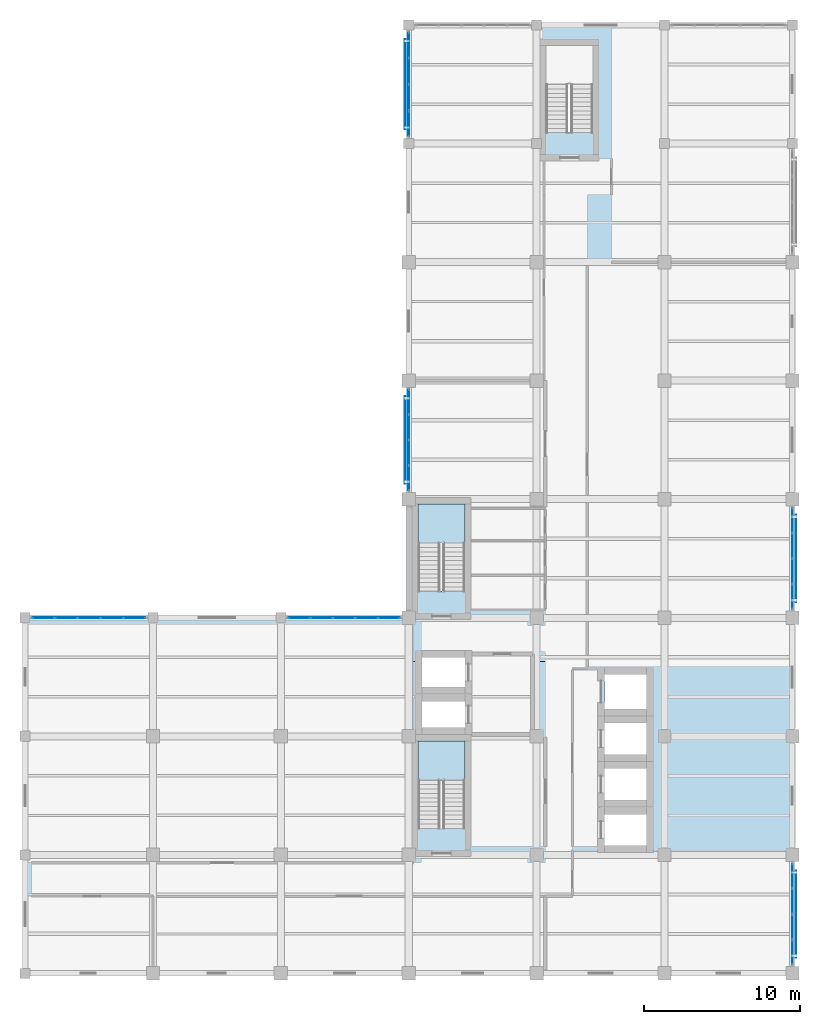
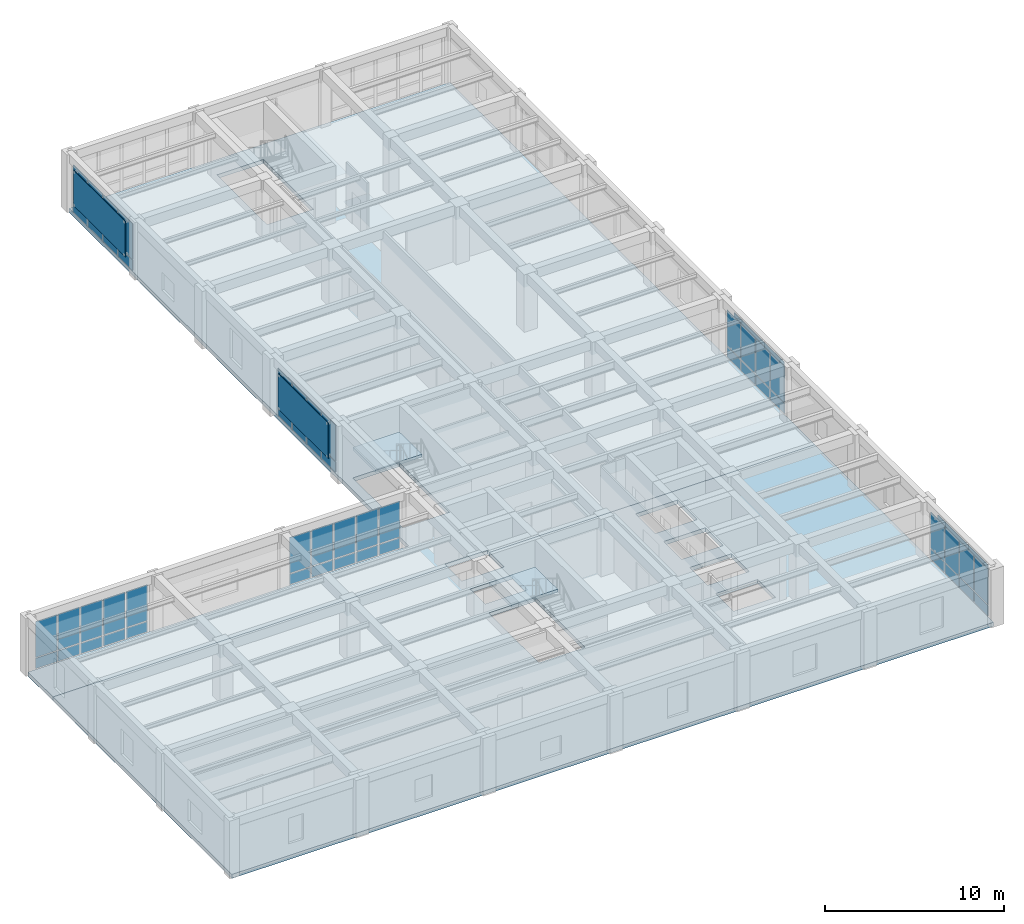
# One storey, part 7 of 17: 56 plates, 4 slabs, 8 elements without a shape of their own.
"""IFC4 building model written with IfcOpenShell, lengths in metres."""

import ifcopenshell
import ifcopenshell.guid

model = None  # the IFC model being written
_history = None  # IfcOwnerHistory: only IFC2X3 demands one
_inside = {}  # id of a spatial element -> (the spatial element, [elements in it])
_under = {}  # id of a project, library or spatial element -> (it, [spatial elements below it])
_declared = {}  # id of a project -> (the project, [libraries it declares])
_typed = {}  # id of a type object -> (the type object, [elements of that type])
_made_of = {}  # id of a material, layer set ... -> (it, [elements and type objects made of it])


def new_model(schema):
    """Start an empty IFC model of exactly this schema.

    Asked for "IFC4X3", IfcOpenShell would pick the latest addendum, in which some entities
    have other attributes; the version numbers below select the first issue.
    IFC2X3 requires an IfcOwnerHistory on every rooted entity: one is made here for all.
    """
    global model, _history
    if schema == "IFC4X3":
        model = ifcopenshell.file(schema_version=(4, 3, 0, 0))
    else:
        model = ifcopenshell.file(schema=schema)
    _inside.clear()
    _under.clear()
    _declared.clear()
    _typed.clear()
    _made_of.clear()
    _history = None
    if model.schema == "IFC2X3":
        org = make("IfcOrganization", Name="unknown")
        user = make(
            "IfcPersonAndOrganization",
            ThePerson=make("IfcPerson", FamilyName="unknown"),
            TheOrganization=org,
        )
        app = make(
            "IfcApplication",
            ApplicationDeveloper=org,
            Version="unknown",
            ApplicationFullName="unknown",
            ApplicationIdentifier="unknown",
        )
        _history = make(
            "IfcOwnerHistory",
            OwningUser=user,
            OwningApplication=app,
            ChangeAction="ADDED",
            CreationDate=0,
        )
    return model


def make(cls, **values):
    """One entity of the class cls with the attributes given. An attribute that is None is left unset."""
    return model.create_entity(
        cls, **{name: value for name, value in values.items() if value is not None}
    )


def rooted(cls, **values):
    """An entity with a GlobalId (a new one), such as an element, a storey or a relation."""
    return make(cls, GlobalId=ifcopenshell.guid.new(), OwnerHistory=_history, **values)


def si_unit(unit_type, name, prefix=None):
    """IfcSIUnit, for example si_unit("LENGTHUNIT", "METRE", prefix="MILLI")."""
    return make("IfcSIUnit", UnitType=unit_type, Prefix=prefix, Name=name)


def assignment(units):
    """IfcUnitAssignment: the units of a project."""
    return None if units is None else make("IfcUnitAssignment", Units=units)


def point(xyz):
    """IfcCartesianPoint."""
    return None if xyz is None else make("IfcCartesianPoint", Coordinates=xyz)


def direction(xyz):
    """IfcDirection."""
    return None if xyz is None else make("IfcDirection", DirectionRatios=xyz)


def frame(location, z_axis=None, x_axis=None):
    """IfcAxis2Placement3D, a coordinate frame: its origin and axes. An axis left out is left unset."""
    return make(
        "IfcAxis2Placement3D",
        Location=point(location),
        Axis=direction(z_axis),
        RefDirection=direction(x_axis),
    )


def frame_2d(location, x_axis=None):
    """IfcAxis2Placement2D, a coordinate frame in the plane: its origin and x axis."""
    return make(
        "IfcAxis2Placement2D", Location=point(location), RefDirection=direction(x_axis)
    )


def origin():
    """The frame at (0, 0, 0) with its axes left unset."""
    return frame((0.0, 0.0, 0.0))


def origin_2d():
    """The frame at (0, 0) in the plane with its x axis left unset."""
    return frame_2d((0.0, 0.0))


def place(relative_to, where):
    """IfcLocalPlacement: puts the frame where relative to a parent placement (None: the world)."""
    return make(
        "IfcLocalPlacement", PlacementRelTo=relative_to, RelativePlacement=where
    )


def context(
    kind, dimensions, precision=None, world=None, true_north=None, identifier=None
):
    """IfcGeometricRepresentationContext, for example the 3D "Model" context."""
    return make(
        "IfcGeometricRepresentationContext",
        ContextIdentifier=identifier,
        ContextType=kind,
        CoordinateSpaceDimension=dimensions,
        Precision=precision,
        WorldCoordinateSystem=world,
        TrueNorth=true_north,
    )


def subcontext(parent, identifier, kind, view, scale=None):
    """IfcGeometricRepresentationSubContext, for example "Body" below "Model"."""
    return make(
        "IfcGeometricRepresentationSubContext",
        ContextIdentifier=identifier,
        ContextType=kind,
        ParentContext=parent,
        TargetScale=scale,
        TargetView=view,
    )


def project(units=None, contexts=None):
    """IfcProject with its units and contexts."""
    return rooted(
        "IfcProject",
        Name="project",
        RepresentationContexts=contexts,
        UnitsInContext=assignment(units),
    )


def spatial(cls, under=None, at=None, **own):
    """A site, building, storey or space (cls), placed at a placement, below another one or the project."""
    s = rooted(cls, ObjectPlacement=at, **own)
    if under is not None:
        _under.setdefault(under.id(), (under, []))[1].append(s)
    return s


def polyline(points):
    """IfcPolyline through the points."""
    return make("IfcPolyline", Points=[point(p) for p in points])


def profile(cls, at=None, kind="AREA", **sizes):
    """A parametric profile (cls). Its sizes go by their IFC names, for example OverallWidth=200.0."""
    return make(cls, ProfileType=kind, Position=at, **sizes)


def rectangle(**sizes):
    """IfcRectangleProfileDef."""
    return profile("IfcRectangleProfileDef", **sizes)


def outline(outer, holes=None, kind="AREA"):
    """IfcArbitraryClosedProfileDef: a profile drawn as a closed curve; with holes, ...WithVoids."""
    if holes is None:
        return make("IfcArbitraryClosedProfileDef", ProfileType=kind, OuterCurve=outer)
    return make(
        "IfcArbitraryProfileDefWithVoids",
        ProfileType=kind,
        OuterCurve=outer,
        InnerCurves=holes,
    )


def extrude(swept, where, along, depth):
    """IfcExtrudedAreaSolid: the profile swept, set in the frame where, extruded along a direction by depth."""
    return make(
        "IfcExtrudedAreaSolid",
        SweptArea=swept,
        Position=where,
        ExtrudedDirection=direction(along),
        Depth=depth,
    )


def shape(context_of_items, identifier, shape_type, items):
    """IfcShapeRepresentation: the items that make up one representation, for example the "Body"."""
    return make(
        "IfcShapeRepresentation",
        ContextOfItems=context_of_items,
        RepresentationIdentifier=identifier,
        RepresentationType=shape_type,
        Items=items,
    )


def material(Name=None, Category=None):
    """IfcMaterial."""
    return make("IfcMaterial", Name=Name, Category=Category)


def layer(
    of_material, thickness, ventilated=None, Name=None, Category=None, Priority=None
):
    """IfcMaterialLayer: one layer of a wall or slab, of a material (None: an air gap)."""
    return make(
        "IfcMaterialLayer",
        Material=of_material,
        LayerThickness=thickness,
        IsVentilated=ventilated,
        Name=Name,
        Category=Category,
        Priority=Priority,
    )


def layer_set(layers, Name=None):
    """IfcMaterialLayerSet."""
    return make("IfcMaterialLayerSet", MaterialLayers=layers, LayerSetName=Name)


def made_of(thing, what):
    """Note that an element or type object is made of a material, layer set ...; save() writes the relation."""
    if what is not None:
        _made_of.setdefault(what.id(), (what, []))[1].append(thing)
    return thing


def type_object(cls, material=None, **own):
    """A type object (cls), such as IfcWallType, which elements share."""
    return made_of(rooted(cls, **own), material)


def element(
    cls,
    number,
    at=None,
    inside=None,
    cuts=None,
    type_object=None,
    material=None,
    context=None,
    identifier="Body",
    shape_type=None,
    held_by="IfcProductDefinitionShape",
    body=None,
    shapes=None,
    **own,
):
    """One element of the class cls, such as IfcWall. Its Tag is "e" and its number.

    at: its placement. inside: the storey or other place that contains it. cuts: it is an
    opening in that element (IfcRelVoidsElement). A single representation is given by context,
    identifier, shape_type and body (its items); several are given by shapes. held_by: the class
    of the entity that holds the representations. save() writes the other relations.
    """
    e = rooted(cls, Tag="e%d" % number, ObjectPlacement=at, **own)
    if body is not None:
        shapes = [shape(context, identifier, shape_type, body)]
    if shapes is not None:
        e.Representation = make(held_by, Representations=shapes)
    if inside is not None:
        _inside.setdefault(inside.id(), (inside, []))[1].append(e)
    if cuts is not None:
        rooted(
            "IfcRelVoidsElement", RelatingBuildingElement=cuts, RelatedOpeningElement=e
        )
    if type_object is not None:
        _typed.setdefault(type_object.id(), (type_object, []))[1].append(e)
    return made_of(e, material)


def aggregate(whole, parts):
    """IfcRelAggregates: a whole, such as a stair, and the parts it consists of."""
    return rooted("IfcRelAggregates", RelatingObject=whole, RelatedObjects=parts)


def save(model, path):
    """Write the relations noted so far, then the file.

    IfcRelAggregates (storeys below a building ...), IfcRelContainedInSpatialStructure (elements
    in a storey), IfcRelDefinesByType, IfcRelAssociatesMaterial and IfcRelDeclares: one each for
    every whole, place, type object, material and project.
    """
    for whole, parts in _under.values():
        aggregate(whole, parts)
    for where, things in _inside.values():
        rooted(
            "IfcRelContainedInSpatialStructure",
            RelatedElements=things,
            RelatingStructure=where,
        )
    for kind, things in _typed.values():
        rooted("IfcRelDefinesByType", RelatedObjects=things, RelatingType=kind)
    for what, things in _made_of.values():
        rooted("IfcRelAssociatesMaterial", RelatedObjects=things, RelatingMaterial=what)
    for by, libraries in _declared.values():
        rooted("IfcRelDeclares", RelatingContext=by, RelatedDefinitions=libraries)
    model.write(path)


model = new_model("IFC4")

# Units and contexts
model_context = context("Model", 3, precision=1e-05, world=origin(), true_north=direction((0.0, 1.0)))
body_context = subcontext(model_context, "Body", "Model", "MODEL_VIEW")
ifc_project = project(units=[si_unit("LENGTHUNIT", "METRE"), si_unit("AREAUNIT", "SQUARE_METRE"), si_unit("VOLUMEUNIT", "CUBIC_METRE"), si_unit("PLANEANGLEUNIT", "RADIAN"), si_unit("MASSUNIT", "GRAM", prefix="KILO")], contexts=[model_context])

# Site, building, storey
site_placement = place(None, origin())
site = spatial("IfcSite", under=ifc_project, at=site_placement, CompositionType="ELEMENT")
building_placement = place(site_placement, origin())
building = spatial("IfcBuilding", under=site, at=building_placement, Name="Qandaris Square Conservatory and Botanical Centre", CompositionType="ELEMENT")
storey_placement = place(building_placement, frame((0.0, 0.0, 28.199951171875)))
storey = spatial("IfcBuildingStorey", under=building, at=storey_placement, Name="L06", CompositionType="ELEMENT", Elevation=28.199951171875)

# Curtain wall, plates
ifc_material_1 = material(Name="Anodised Aluminium", Category="aluminium")
curtain_wall_type_1 = type_object("IfcCurtainWallType", Name="Unitised Curtain Wall CW-4-655x334", PredefinedType="USERDEFINED", material=ifc_material_1)
curtain_wall_1_placement = place(storey_placement, origin())
curtain_wall_1 = element("IfcCurtainWall", 1, at=curtain_wall_1_placement, inside=storey, type_object=curtain_wall_type_1, Name="Curtain Wall CW-TWR-L06-2-1", ObjectType="GLAZED CURTAIN WALL", PredefinedType="USERDEFINED")
ifc_material_2 = material(Name="Tempered Low-E Glass", Category="glass")
ifc_layer_1 = layer(ifc_material_2, 0.035888671875)
ifc_layer_set_1 = layer_set([ifc_layer_1], Name="Tempered Low-E Glass")
plate_type_1 = type_object("IfcPlateType", Name="Double-Glazed Solar Control Vision Unit 36mm", PredefinedType="CURTAIN_PANEL", material=ifc_layer_set_1)
plate_1_placement = place(storey_placement, frame((163.800048828125, 17.9599609375, 0.06494140625), z_axis=(0.0, 0.0, 1.0), x_axis=(0.0, 1.0, 0.0)))
plate_1 = element("IfcPlate", 2, at=plate_1_placement, type_object=plate_type_1, Name="CW-4-655x334 panel 1.1", PredefinedType="CURTAIN_PANEL", context=body_context, shape_type="SweptSolid", body=[
    extrude(rectangle(XDim=1.5400390625, YDim=0.035888671875, at=origin_2d()), origin(), (0.0, 0.0, 1.0), 0.7041015625),
])
plate_2_placement = place(storey_placement, frame((163.800048828125, 17.9599609375, 0.834228515625), z_axis=(0.0, 0.0, 1.0), x_axis=(0.0, 1.0, 0.0)))
plate_2 = element("IfcPlate", 3, at=plate_2_placement, type_object=plate_type_1, Name="CW-4-655x334 panel 1.2", PredefinedType="CURTAIN_PANEL", context=body_context, shape_type="SweptSolid", body=[
    extrude(rectangle(XDim=1.5400390625, YDim=0.035888671875, at=origin_2d()), origin(), (0.0, 0.0, 1.0), 2.44091796875),
])
plate_3_placement = place(storey_placement, frame((163.800048828125, 19.581298828125, 0.06494140625), z_axis=(0.0, 0.0, 1.0), x_axis=(0.0, 1.0, 0.0)))
plate_3 = element("IfcPlate", 4, at=plate_3_placement, type_object=plate_type_1, Name="CW-4-655x334 panel 2.1", PredefinedType="CURTAIN_PANEL", context=body_context, shape_type="SweptSolid", body=[
    extrude(rectangle(XDim=1.572509765625, YDim=0.035888671875, at=origin_2d()), origin(), (0.0, 0.0, 1.0), 0.7041015625),
])
plate_4_placement = place(storey_placement, frame((163.800048828125, 19.581298828125, 0.834228515625), z_axis=(0.0, 0.0, 1.0), x_axis=(0.0, 1.0, 0.0)))
plate_4 = element("IfcPlate", 5, at=plate_4_placement, type_object=plate_type_1, Name="CW-4-655x334 panel 2.2", PredefinedType="CURTAIN_PANEL", context=body_context, shape_type="SweptSolid", body=[
    extrude(rectangle(XDim=1.572509765625, YDim=0.035888671875, at=origin_2d()), origin(), (0.0, 0.0, 1.0), 2.44091796875),
])
plate_5_placement = place(storey_placement, frame((163.800048828125, 21.21875, 0.06494140625), z_axis=(0.0, 0.0, 1.0), x_axis=(0.0, 1.0, 0.0)))
plate_5 = element("IfcPlate", 6, at=plate_5_placement, type_object=plate_type_1, Name="CW-4-655x334 panel 3.1", PredefinedType="CURTAIN_PANEL", context=body_context, shape_type="SweptSolid", body=[
    extrude(rectangle(XDim=1.572509765625, YDim=0.035888671875, at=origin_2d()), origin(), (0.0, 0.0, 1.0), 0.7041015625),
])
plate_6_placement = place(storey_placement, frame((163.800048828125, 21.21875, 0.834228515625), z_axis=(0.0, 0.0, 1.0), x_axis=(0.0, 1.0, 0.0)))
plate_6 = element("IfcPlate", 7, at=plate_6_placement, type_object=plate_type_1, Name="CW-4-655x334 panel 3.2", PredefinedType="CURTAIN_PANEL", context=body_context, shape_type="SweptSolid", body=[
    extrude(rectangle(XDim=1.572509765625, YDim=0.035888671875, at=origin_2d()), origin(), (0.0, 0.0, 1.0), 2.44091796875),
])
plate_7_placement = place(storey_placement, frame((163.800048828125, 22.840087890625, 0.06494140625), z_axis=(0.0, 0.0, 1.0), x_axis=(0.0, 1.0, 0.0)))
plate_7 = element("IfcPlate", 8, at=plate_7_placement, type_object=plate_type_1, Name="CW-4-655x334 panel 4.1", PredefinedType="CURTAIN_PANEL", context=body_context, shape_type="SweptSolid", body=[
    extrude(rectangle(XDim=1.5400390625, YDim=0.035888671875, at=origin_2d()), origin(), (0.0, 0.0, 1.0), 0.7041015625),
])
plate_8_placement = place(storey_placement, frame((163.800048828125, 22.840087890625, 0.834228515625), z_axis=(0.0, 0.0, 1.0), x_axis=(0.0, 1.0, 0.0)))
plate_8 = element("IfcPlate", 9, at=plate_8_placement, type_object=plate_type_1, Name="CW-4-655x334 panel 4.2", PredefinedType="CURTAIN_PANEL", context=body_context, shape_type="SweptSolid", body=[
    extrude(rectangle(XDim=1.5400390625, YDim=0.035888671875, at=origin_2d()), origin(), (0.0, 0.0, 1.0), 2.44091796875),
])
aggregate(curtain_wall_1, [plate_1, plate_2, plate_3, plate_4, plate_5, plate_6, plate_7, plate_8])

curtain_wall_2_placement = place(storey_placement, origin())
curtain_wall_2 = element("IfcCurtainWall", 10, at=curtain_wall_2_placement, inside=storey, type_object=curtain_wall_type_1, Name="Curtain Wall CW-TWR-L06-2-4", ObjectType="GLAZED CURTAIN WALL", PredefinedType="USERDEFINED")
plate_9_placement = place(storey_placement, frame((163.800048828125, 40.760009765625, 0.06494140625), z_axis=(0.0, 0.0, 1.0), x_axis=(0.0, 1.0, 0.0)))
plate_9 = element("IfcPlate", 11, at=plate_9_placement, type_object=plate_type_1, Name="CW-4-655x334 panel 1.1", PredefinedType="CURTAIN_PANEL", context=body_context, shape_type="SweptSolid", body=[
    extrude(rectangle(XDim=1.5400390625, YDim=0.035888671875, at=origin_2d()), origin(), (0.0, 0.0, 1.0), 0.7041015625),
])
plate_10_placement = place(storey_placement, frame((163.800048828125, 40.760009765625, 0.834228515625), z_axis=(0.0, 0.0, 1.0), x_axis=(0.0, 1.0, 0.0)))
plate_10 = element("IfcPlate", 12, at=plate_10_placement, type_object=plate_type_1, Name="CW-4-655x334 panel 1.2", PredefinedType="CURTAIN_PANEL", context=body_context, shape_type="SweptSolid", body=[
    extrude(rectangle(XDim=1.5400390625, YDim=0.035888671875, at=origin_2d()), origin(), (0.0, 0.0, 1.0), 2.44091796875),
])
plate_11_placement = place(storey_placement, frame((163.800048828125, 42.38134765625, 0.06494140625), z_axis=(0.0, 0.0, 1.0), x_axis=(0.0, 1.0, 0.0)))
plate_11 = element("IfcPlate", 13, at=plate_11_placement, type_object=plate_type_1, Name="CW-4-655x334 panel 2.1", PredefinedType="CURTAIN_PANEL", context=body_context, shape_type="SweptSolid", body=[
    extrude(rectangle(XDim=1.572509765625, YDim=0.035888671875, at=origin_2d()), origin(), (0.0, 0.0, 1.0), 0.7041015625),
])
plate_12_placement = place(storey_placement, frame((163.800048828125, 42.38134765625, 0.834228515625), z_axis=(0.0, 0.0, 1.0), x_axis=(0.0, 1.0, 0.0)))
plate_12 = element("IfcPlate", 14, at=plate_12_placement, type_object=plate_type_1, Name="CW-4-655x334 panel 2.2", PredefinedType="CURTAIN_PANEL", context=body_context, shape_type="SweptSolid", body=[
    extrude(rectangle(XDim=1.572509765625, YDim=0.035888671875, at=origin_2d()), origin(), (0.0, 0.0, 1.0), 2.44091796875),
])
plate_13_placement = place(storey_placement, frame((163.800048828125, 44.018798828125, 0.06494140625), z_axis=(0.0, 0.0, 1.0), x_axis=(0.0, 1.0, 0.0)))
plate_13 = element("IfcPlate", 15, at=plate_13_placement, type_object=plate_type_1, Name="CW-4-655x334 panel 3.1", PredefinedType="CURTAIN_PANEL", context=body_context, shape_type="SweptSolid", body=[
    extrude(rectangle(XDim=1.572509765625, YDim=0.035888671875, at=origin_2d()), origin(), (0.0, 0.0, 1.0), 0.7041015625),
])
plate_14_placement = place(storey_placement, frame((163.800048828125, 44.018798828125, 0.834228515625), z_axis=(0.0, 0.0, 1.0), x_axis=(0.0, 1.0, 0.0)))
plate_14 = element("IfcPlate", 16, at=plate_14_placement, type_object=plate_type_1, Name="CW-4-655x334 panel 3.2", PredefinedType="CURTAIN_PANEL", context=body_context, shape_type="SweptSolid", body=[
    extrude(rectangle(XDim=1.572509765625, YDim=0.035888671875, at=origin_2d()), origin(), (0.0, 0.0, 1.0), 2.44091796875),
])
plate_15_placement = place(storey_placement, frame((163.800048828125, 45.639892578125, 0.06494140625), z_axis=(0.0, 0.0, 1.0), x_axis=(0.0, 1.0, 0.0)))
plate_15 = element("IfcPlate", 17, at=plate_15_placement, type_object=plate_type_1, Name="CW-4-655x334 panel 4.1", PredefinedType="CURTAIN_PANEL", context=body_context, shape_type="SweptSolid", body=[
    extrude(rectangle(XDim=1.5400390625, YDim=0.035888671875, at=origin_2d()), origin(), (0.0, 0.0, 1.0), 0.7041015625),
])
plate_16_placement = place(storey_placement, frame((163.800048828125, 45.639892578125, 0.834228515625), z_axis=(0.0, 0.0, 1.0), x_axis=(0.0, 1.0, 0.0)))
plate_16 = element("IfcPlate", 18, at=plate_16_placement, type_object=plate_type_1, Name="CW-4-655x334 panel 4.2", PredefinedType="CURTAIN_PANEL", context=body_context, shape_type="SweptSolid", body=[
    extrude(rectangle(XDim=1.5400390625, YDim=0.035888671875, at=origin_2d()), origin(), (0.0, 0.0, 1.0), 2.44091796875),
])
aggregate(curtain_wall_2, [plate_9, plate_10, plate_11, plate_12, plate_13, plate_14, plate_15, plate_16])

curtain_wall_type_2 = type_object("IfcCurtainWallType", Name="Unitised Curtain Wall CW-4-675x334", PredefinedType="USERDEFINED", material=ifc_material_1)
curtain_wall_3_placement = place(storey_placement, origin())
curtain_wall_3 = element("IfcCurtainWall", 19, at=curtain_wall_3_placement, inside=storey, type_object=curtain_wall_type_2, Name="Curtain Wall CW-TWR-L06-4-1", ObjectType="GLAZED CURTAIN WALL", PredefinedType="USERDEFINED")
plate_17_placement = place(storey_placement, frame((139.199951171875, 76.114990234375, 0.06494140625), z_axis=(0.0, 0.0, 1.0), x_axis=(0.0, -1.0, 0.0)))
plate_17 = element("IfcPlate", 20, at=plate_17_placement, type_object=plate_type_1, Name="CW-4-675x334 panel 1.1", PredefinedType="CURTAIN_PANEL", context=body_context, shape_type="SweptSolid", body=[
    extrude(rectangle(XDim=1.590087890625, YDim=0.035888671875, at=origin_2d()), origin(), (0.0, 0.0, 1.0), 0.7041015625),
])
plate_18_placement = place(storey_placement, frame((139.199951171875, 76.114990234375, 0.834228515625), z_axis=(0.0, 0.0, 1.0), x_axis=(0.0, -1.0, 0.0)))
plate_18 = element("IfcPlate", 21, at=plate_18_placement, type_object=plate_type_1, Name="CW-4-675x334 panel 1.2", PredefinedType="CURTAIN_PANEL", context=body_context, shape_type="SweptSolid", body=[
    extrude(rectangle(XDim=1.590087890625, YDim=0.035888671875, at=origin_2d()), origin(), (0.0, 0.0, 1.0), 2.44091796875),
])
plate_19_placement = place(storey_placement, frame((139.199951171875, 74.44384765625, 0.06494140625), z_axis=(0.0, 0.0, 1.0), x_axis=(0.0, -1.0, 0.0)))
plate_19 = element("IfcPlate", 22, at=plate_19_placement, type_object=plate_type_1, Name="CW-4-675x334 panel 2.1", PredefinedType="CURTAIN_PANEL", context=body_context, shape_type="SweptSolid", body=[
    extrude(rectangle(XDim=1.62255859375, YDim=0.035888671875, at=origin_2d()), origin(), (0.0, 0.0, 1.0), 0.7041015625),
])
plate_20_placement = place(storey_placement, frame((139.199951171875, 74.44384765625, 0.834228515625), z_axis=(0.0, 0.0, 1.0), x_axis=(0.0, -1.0, 0.0)))
plate_20 = element("IfcPlate", 23, at=plate_20_placement, type_object=plate_type_1, Name="CW-4-675x334 panel 2.2", PredefinedType="CURTAIN_PANEL", context=body_context, shape_type="SweptSolid", body=[
    extrude(rectangle(XDim=1.62255859375, YDim=0.035888671875, at=origin_2d()), origin(), (0.0, 0.0, 1.0), 2.44091796875),
])
plate_21_placement = place(storey_placement, frame((139.199951171875, 72.75634765625, 0.06494140625), z_axis=(0.0, 0.0, 1.0), x_axis=(0.0, -1.0, 0.0)))
plate_21 = element("IfcPlate", 24, at=plate_21_placement, type_object=plate_type_1, Name="CW-4-675x334 panel 3.1", PredefinedType="CURTAIN_PANEL", context=body_context, shape_type="SweptSolid", body=[
    extrude(rectangle(XDim=1.62255859375, YDim=0.035888671875, at=origin_2d()), origin(), (0.0, 0.0, 1.0), 0.7041015625),
])
plate_22_placement = place(storey_placement, frame((139.199951171875, 72.75634765625, 0.834228515625), z_axis=(0.0, 0.0, 1.0), x_axis=(0.0, -1.0, 0.0)))
plate_22 = element("IfcPlate", 25, at=plate_22_placement, type_object=plate_type_1, Name="CW-4-675x334 panel 3.2", PredefinedType="CURTAIN_PANEL", context=body_context, shape_type="SweptSolid", body=[
    extrude(rectangle(XDim=1.62255859375, YDim=0.035888671875, at=origin_2d()), origin(), (0.0, 0.0, 1.0), 2.44091796875),
])
plate_23_placement = place(storey_placement, frame((139.199951171875, 71.0849609375, 0.06494140625), z_axis=(0.0, 0.0, 1.0), x_axis=(0.0, -1.0, 0.0)))
plate_23 = element("IfcPlate", 26, at=plate_23_placement, type_object=plate_type_1, Name="CW-4-675x334 panel 4.1", PredefinedType="CURTAIN_PANEL", context=body_context, shape_type="SweptSolid", body=[
    extrude(rectangle(XDim=1.590087890625, YDim=0.035888671875, at=origin_2d()), origin(), (0.0, 0.0, 1.0), 0.7041015625),
])
plate_24_placement = place(storey_placement, frame((139.199951171875, 71.0849609375, 0.834228515625), z_axis=(0.0, 0.0, 1.0), x_axis=(0.0, -1.0, 0.0)))
plate_24 = element("IfcPlate", 27, at=plate_24_placement, type_object=plate_type_1, Name="CW-4-675x334 panel 4.2", PredefinedType="CURTAIN_PANEL", context=body_context, shape_type="SweptSolid", body=[
    extrude(rectangle(XDim=1.590087890625, YDim=0.035888671875, at=origin_2d()), origin(), (0.0, 0.0, 1.0), 2.44091796875),
])
aggregate(curtain_wall_3, [plate_17, plate_18, plate_19, plate_20, plate_21, plate_22, plate_23, plate_24])

curtain_wall_4_placement = place(storey_placement, origin())
curtain_wall_4 = element("IfcCurtainWall", 28, at=curtain_wall_4_placement, inside=storey, type_object=curtain_wall_type_1, Name="Curtain Wall CW-TWR-L06-4-4", ObjectType="GLAZED CURTAIN WALL", PredefinedType="USERDEFINED")
plate_25_placement = place(storey_placement, frame((139.199951171875, 53.239990234375, 0.06494140625), z_axis=(0.0, 0.0, 1.0), x_axis=(0.0, -1.0, 0.0)))
plate_25 = element("IfcPlate", 29, at=plate_25_placement, type_object=plate_type_1, Name="CW-4-655x334 panel 1.1", PredefinedType="CURTAIN_PANEL", context=body_context, shape_type="SweptSolid", body=[
    extrude(rectangle(XDim=1.5400390625, YDim=0.035888671875, at=origin_2d()), origin(), (0.0, 0.0, 1.0), 0.7041015625),
])
plate_26_placement = place(storey_placement, frame((139.199951171875, 53.239990234375, 0.834228515625), z_axis=(0.0, 0.0, 1.0), x_axis=(0.0, -1.0, 0.0)))
plate_26 = element("IfcPlate", 30, at=plate_26_placement, type_object=plate_type_1, Name="CW-4-655x334 panel 1.2", PredefinedType="CURTAIN_PANEL", context=body_context, shape_type="SweptSolid", body=[
    extrude(rectangle(XDim=1.5400390625, YDim=0.035888671875, at=origin_2d()), origin(), (0.0, 0.0, 1.0), 2.44091796875),
])
plate_27_placement = place(storey_placement, frame((139.199951171875, 51.61865234375, 0.06494140625), z_axis=(0.0, 0.0, 1.0), x_axis=(0.0, -1.0, 0.0)))
plate_27 = element("IfcPlate", 31, at=plate_27_placement, type_object=plate_type_1, Name="CW-4-655x334 panel 2.1", PredefinedType="CURTAIN_PANEL", context=body_context, shape_type="SweptSolid", body=[
    extrude(rectangle(XDim=1.572509765625, YDim=0.035888671875, at=origin_2d()), origin(), (0.0, 0.0, 1.0), 0.7041015625),
])
plate_28_placement = place(storey_placement, frame((139.199951171875, 51.61865234375, 0.834228515625), z_axis=(0.0, 0.0, 1.0), x_axis=(0.0, -1.0, 0.0)))
plate_28 = element("IfcPlate", 32, at=plate_28_placement, type_object=plate_type_1, Name="CW-4-655x334 panel 2.2", PredefinedType="CURTAIN_PANEL", context=body_context, shape_type="SweptSolid", body=[
    extrude(rectangle(XDim=1.572509765625, YDim=0.035888671875, at=origin_2d()), origin(), (0.0, 0.0, 1.0), 2.44091796875),
])
plate_29_placement = place(storey_placement, frame((139.199951171875, 49.981201171875, 0.06494140625), z_axis=(0.0, 0.0, 1.0), x_axis=(0.0, -1.0, 0.0)))
plate_29 = element("IfcPlate", 33, at=plate_29_placement, type_object=plate_type_1, Name="CW-4-655x334 panel 3.1", PredefinedType="CURTAIN_PANEL", context=body_context, shape_type="SweptSolid", body=[
    extrude(rectangle(XDim=1.572509765625, YDim=0.035888671875, at=origin_2d()), origin(), (0.0, 0.0, 1.0), 0.7041015625),
])
plate_30_placement = place(storey_placement, frame((139.199951171875, 49.981201171875, 0.834228515625), z_axis=(0.0, 0.0, 1.0), x_axis=(0.0, -1.0, 0.0)))
plate_30 = element("IfcPlate", 34, at=plate_30_placement, type_object=plate_type_1, Name="CW-4-655x334 panel 3.2", PredefinedType="CURTAIN_PANEL", context=body_context, shape_type="SweptSolid", body=[
    extrude(rectangle(XDim=1.572509765625, YDim=0.035888671875, at=origin_2d()), origin(), (0.0, 0.0, 1.0), 2.44091796875),
])
plate_31_placement = place(storey_placement, frame((139.199951171875, 48.360107421875, 0.06494140625), z_axis=(0.0, 0.0, 1.0), x_axis=(0.0, -1.0, 0.0)))
plate_31 = element("IfcPlate", 35, at=plate_31_placement, type_object=plate_type_1, Name="CW-4-655x334 panel 4.1", PredefinedType="CURTAIN_PANEL", context=body_context, shape_type="SweptSolid", body=[
    extrude(rectangle(XDim=1.5400390625, YDim=0.035888671875, at=origin_2d()), origin(), (0.0, 0.0, 1.0), 0.7041015625),
])
plate_32_placement = place(storey_placement, frame((139.199951171875, 48.360107421875, 0.834228515625), z_axis=(0.0, 0.0, 1.0), x_axis=(0.0, -1.0, 0.0)))
plate_32 = element("IfcPlate", 36, at=plate_32_placement, type_object=plate_type_1, Name="CW-4-655x334 panel 4.2", PredefinedType="CURTAIN_PANEL", context=body_context, shape_type="SweptSolid", body=[
    extrude(rectangle(XDim=1.5400390625, YDim=0.035888671875, at=origin_2d()), origin(), (0.0, 0.0, 1.0), 2.44091796875),
])
aggregate(curtain_wall_4, [plate_25, plate_26, plate_27, plate_28, plate_29, plate_30, plate_31, plate_32])

curtain_wall_type_3 = type_object("IfcCurtainWallType", Name="Unitised Curtain Wall CW-4-725x334", PredefinedType="USERDEFINED", material=ifc_material_1)
curtain_wall_5_placement = place(storey_placement, origin())
curtain_wall_5 = element("IfcCurtainWall", 37, at=curtain_wall_5_placement, inside=storey, type_object=curtain_wall_type_3, Name="Curtain Wall CW-TWR-L06-5-1", ObjectType="GLAZED CURTAIN WALL", PredefinedType="USERDEFINED")
plate_33_placement = place(storey_placement, frame((137.933837890625, 39.39990234375, 0.06494140625), z_axis=(0.0, 0.0, 1.0), x_axis=(-1.0, 0.0, 0.0)))
plate_33 = element("IfcPlate", 38, at=plate_33_placement, type_object=plate_type_1, Name="CW-4-725x334 panel 1.1", PredefinedType="CURTAIN_PANEL", context=body_context, shape_type="SweptSolid", body=[
    extrude(rectangle(XDim=1.3525390625, YDim=0.035888671875, at=origin_2d()), origin(), (0.0, 0.0, 1.0), 0.7041015625),
])
plate_34_placement = place(storey_placement, frame((137.933837890625, 39.39990234375, 0.834228515625), z_axis=(0.0, 0.0, 1.0), x_axis=(-1.0, 0.0, 0.0)))
plate_34 = element("IfcPlate", 39, at=plate_34_placement, type_object=plate_type_1, Name="CW-4-725x334 panel 1.2", PredefinedType="CURTAIN_PANEL", context=body_context, shape_type="SweptSolid", body=[
    extrude(rectangle(XDim=1.3525390625, YDim=0.035888671875, at=origin_2d()), origin(), (0.0, 0.0, 1.0), 2.44091796875),
])
plate_35_placement = place(storey_placement, frame((136.5, 39.39990234375, 0.06494140625), z_axis=(0.0, 0.0, 1.0), x_axis=(-1.0, 0.0, 0.0)))
plate_35 = element("IfcPlate", 40, at=plate_35_placement, type_object=plate_type_1, Name="CW-4-725x334 panel 2.1", PredefinedType="CURTAIN_PANEL", context=body_context, shape_type="SweptSolid", body=[
    extrude(rectangle(XDim=1.385009765625, YDim=0.035888671875, at=origin_2d()), origin(), (0.0, 0.0, 1.0), 0.7041015625),
])
plate_36_placement = place(storey_placement, frame((136.5, 39.39990234375, 0.834228515625), z_axis=(0.0, 0.0, 1.0), x_axis=(-1.0, 0.0, 0.0)))
plate_36 = element("IfcPlate", 41, at=plate_36_placement, type_object=plate_type_1, Name="CW-4-725x334 panel 2.2", PredefinedType="CURTAIN_PANEL", context=body_context, shape_type="SweptSolid", body=[
    extrude(rectangle(XDim=1.385009765625, YDim=0.035888671875, at=origin_2d()), origin(), (0.0, 0.0, 1.0), 2.44091796875),
])
plate_37_placement = place(storey_placement, frame((135.050048828125, 39.39990234375, 0.06494140625), z_axis=(0.0, 0.0, 1.0), x_axis=(-1.0, 0.0, 0.0)))
plate_37 = element("IfcPlate", 42, at=plate_37_placement, type_object=plate_type_1, Name="CW-4-725x334 panel 3.1", PredefinedType="CURTAIN_PANEL", context=body_context, shape_type="SweptSolid", body=[
    extrude(rectangle(XDim=1.385009765625, YDim=0.035888671875, at=origin_2d()), origin(), (0.0, 0.0, 1.0), 0.7041015625),
])
plate_38_placement = place(storey_placement, frame((135.050048828125, 39.39990234375, 0.834228515625), z_axis=(0.0, 0.0, 1.0), x_axis=(-1.0, 0.0, 0.0)))
plate_38 = element("IfcPlate", 43, at=plate_38_placement, type_object=plate_type_1, Name="CW-4-725x334 panel 3.2", PredefinedType="CURTAIN_PANEL", context=body_context, shape_type="SweptSolid", body=[
    extrude(rectangle(XDim=1.385009765625, YDim=0.035888671875, at=origin_2d()), origin(), (0.0, 0.0, 1.0), 2.44091796875),
])
plate_39_placement = place(storey_placement, frame((133.60009765625, 39.39990234375, 0.06494140625), z_axis=(0.0, 0.0, 1.0), x_axis=(-1.0, 0.0, 0.0)))
plate_39 = element("IfcPlate", 44, at=plate_39_placement, type_object=plate_type_1, Name="CW-4-725x334 panel 4.1", PredefinedType="CURTAIN_PANEL", context=body_context, shape_type="SweptSolid", body=[
    extrude(rectangle(XDim=1.385009765625, YDim=0.035888671875, at=origin_2d()), origin(), (0.0, 0.0, 1.0), 0.7041015625),
])
plate_40_placement = place(storey_placement, frame((133.60009765625, 39.39990234375, 0.834228515625), z_axis=(0.0, 0.0, 1.0), x_axis=(-1.0, 0.0, 0.0)))
plate_40 = element("IfcPlate", 45, at=plate_40_placement, type_object=plate_type_1, Name="CW-4-725x334 panel 4.2", PredefinedType="CURTAIN_PANEL", context=body_context, shape_type="SweptSolid", body=[
    extrude(rectangle(XDim=1.385009765625, YDim=0.035888671875, at=origin_2d()), origin(), (0.0, 0.0, 1.0), 2.44091796875),
])
plate_41_placement = place(storey_placement, frame((132.166259765625, 39.39990234375, 0.06494140625), z_axis=(0.0, 0.0, 1.0), x_axis=(-1.0, 0.0, 0.0)))
plate_41 = element("IfcPlate", 46, at=plate_41_placement, type_object=plate_type_1, Name="CW-4-725x334 panel 5.1", PredefinedType="CURTAIN_PANEL", context=body_context, shape_type="SweptSolid", body=[
    extrude(rectangle(XDim=1.3525390625, YDim=0.035888671875, at=origin_2d()), origin(), (0.0, 0.0, 1.0), 0.7041015625),
])
plate_42_placement = place(storey_placement, frame((132.166259765625, 39.39990234375, 0.834228515625), z_axis=(0.0, 0.0, 1.0), x_axis=(-1.0, 0.0, 0.0)))
plate_42 = element("IfcPlate", 47, at=plate_42_placement, type_object=plate_type_1, Name="CW-4-725x334 panel 5.2", PredefinedType="CURTAIN_PANEL", context=body_context, shape_type="SweptSolid", body=[
    extrude(rectangle(XDim=1.3525390625, YDim=0.035888671875, at=origin_2d()), origin(), (0.0, 0.0, 1.0), 2.44091796875),
])
aggregate(curtain_wall_5, [plate_33, plate_34, plate_35, plate_36, plate_37, plate_38, plate_39, plate_40, plate_41, plate_42])

curtain_wall_type_4 = type_object("IfcCurtainWallType", Name="Unitised Curtain Wall CW-4-735x334", PredefinedType="USERDEFINED", material=ifc_material_1)
curtain_wall_6_placement = place(storey_placement, origin())
curtain_wall_6 = element("IfcCurtainWall", 48, at=curtain_wall_6_placement, inside=storey, type_object=curtain_wall_type_4, Name="Curtain Wall CW-TWR-L06-5-3", ObjectType="GLAZED CURTAIN WALL", PredefinedType="USERDEFINED")
plate_43_placement = place(storey_placement, frame((121.623779296875, 39.39990234375, 0.06494140625), z_axis=(0.0, 0.0, 1.0), x_axis=(-1.0, 0.0, 0.0)))
plate_43 = element("IfcPlate", 49, at=plate_43_placement, type_object=plate_type_1, Name="CW-4-735x334 panel 1.1", PredefinedType="CURTAIN_PANEL", context=body_context, shape_type="SweptSolid", body=[
    extrude(rectangle(XDim=1.37255859375, YDim=0.035888671875, at=origin_2d()), origin(), (0.0, 0.0, 1.0), 0.7041015625),
])
plate_44_placement = place(storey_placement, frame((121.623779296875, 39.39990234375, 0.834228515625), z_axis=(0.0, 0.0, 1.0), x_axis=(-1.0, 0.0, 0.0)))
plate_44 = element("IfcPlate", 50, at=plate_44_placement, type_object=plate_type_1, Name="CW-4-735x334 panel 1.2", PredefinedType="CURTAIN_PANEL", context=body_context, shape_type="SweptSolid", body=[
    extrude(rectangle(XDim=1.37255859375, YDim=0.035888671875, at=origin_2d()), origin(), (0.0, 0.0, 1.0), 2.44091796875),
])
plate_45_placement = place(storey_placement, frame((120.169921875, 39.39990234375, 0.06494140625), z_axis=(0.0, 0.0, 1.0), x_axis=(-1.0, 0.0, 0.0)))
plate_45 = element("IfcPlate", 51, at=plate_45_placement, type_object=plate_type_1, Name="CW-4-735x334 panel 2.1", PredefinedType="CURTAIN_PANEL", context=body_context, shape_type="SweptSolid", body=[
    extrude(rectangle(XDim=1.405029296875, YDim=0.035888671875, at=origin_2d()), origin(), (0.0, 0.0, 1.0), 0.7041015625),
])
plate_46_placement = place(storey_placement, frame((120.169921875, 39.39990234375, 0.834228515625), z_axis=(0.0, 0.0, 1.0), x_axis=(-1.0, 0.0, 0.0)))
plate_46 = element("IfcPlate", 52, at=plate_46_placement, type_object=plate_type_1, Name="CW-4-735x334 panel 2.2", PredefinedType="CURTAIN_PANEL", context=body_context, shape_type="SweptSolid", body=[
    extrude(rectangle(XDim=1.405029296875, YDim=0.035888671875, at=origin_2d()), origin(), (0.0, 0.0, 1.0), 2.44091796875),
])
plate_47_placement = place(storey_placement, frame((118.699951171875, 39.39990234375, 0.06494140625), z_axis=(0.0, 0.0, 1.0), x_axis=(-1.0, 0.0, 0.0)))
plate_47 = element("IfcPlate", 53, at=plate_47_placement, type_object=plate_type_1, Name="CW-4-735x334 panel 3.1", PredefinedType="CURTAIN_PANEL", context=body_context, shape_type="SweptSolid", body=[
    extrude(rectangle(XDim=1.405029296875, YDim=0.035888671875, at=origin_2d()), origin(), (0.0, 0.0, 1.0), 0.7041015625),
])
plate_48_placement = place(storey_placement, frame((118.699951171875, 39.39990234375, 0.834228515625), z_axis=(0.0, 0.0, 1.0), x_axis=(-1.0, 0.0, 0.0)))
plate_48 = element("IfcPlate", 54, at=plate_48_placement, type_object=plate_type_1, Name="CW-4-735x334 panel 3.2", PredefinedType="CURTAIN_PANEL", context=body_context, shape_type="SweptSolid", body=[
    extrude(rectangle(XDim=1.405029296875, YDim=0.035888671875, at=origin_2d()), origin(), (0.0, 0.0, 1.0), 2.44091796875),
])
plate_49_placement = place(storey_placement, frame((117.22998046875, 39.39990234375, 0.06494140625), z_axis=(0.0, 0.0, 1.0), x_axis=(-1.0, 0.0, 0.0)))
plate_49 = element("IfcPlate", 55, at=plate_49_placement, type_object=plate_type_1, Name="CW-4-735x334 panel 4.1", PredefinedType="CURTAIN_PANEL", context=body_context, shape_type="SweptSolid", body=[
    extrude(rectangle(XDim=1.405029296875, YDim=0.035888671875, at=origin_2d()), origin(), (0.0, 0.0, 1.0), 0.7041015625),
])
plate_50_placement = place(storey_placement, frame((117.22998046875, 39.39990234375, 0.834228515625), z_axis=(0.0, 0.0, 1.0), x_axis=(-1.0, 0.0, 0.0)))
plate_50 = element("IfcPlate", 56, at=plate_50_placement, type_object=plate_type_1, Name="CW-4-735x334 panel 4.2", PredefinedType="CURTAIN_PANEL", context=body_context, shape_type="SweptSolid", body=[
    extrude(rectangle(XDim=1.405029296875, YDim=0.035888671875, at=origin_2d()), origin(), (0.0, 0.0, 1.0), 2.44091796875),
])
plate_51_placement = place(storey_placement, frame((115.7763671875, 39.39990234375, 0.06494140625), z_axis=(0.0, 0.0, 1.0), x_axis=(-1.0, 0.0, 0.0)))
plate_51 = element("IfcPlate", 57, at=plate_51_placement, type_object=plate_type_1, Name="CW-4-735x334 panel 5.1", PredefinedType="CURTAIN_PANEL", context=body_context, shape_type="SweptSolid", body=[
    extrude(rectangle(XDim=1.37255859375, YDim=0.035888671875, at=origin_2d()), origin(), (0.0, 0.0, 1.0), 0.7041015625),
])
plate_52_placement = place(storey_placement, frame((115.7763671875, 39.39990234375, 0.834228515625), z_axis=(0.0, 0.0, 1.0), x_axis=(-1.0, 0.0, 0.0)))
plate_52 = element("IfcPlate", 58, at=plate_52_placement, type_object=plate_type_1, Name="CW-4-735x334 panel 5.2", PredefinedType="CURTAIN_PANEL", context=body_context, shape_type="SweptSolid", body=[
    extrude(rectangle(XDim=1.37255859375, YDim=0.035888671875, at=origin_2d()), origin(), (0.0, 0.0, 1.0), 2.44091796875),
])
aggregate(curtain_wall_6, [plate_43, plate_44, plate_45, plate_46, plate_47, plate_48, plate_49, plate_50, plate_51, plate_52])

# Plates
ifc_material_3 = material(Name="Weathering Bronze Alloy", Category="metal")
ifc_layer_2 = layer(ifc_material_3, 0.044921875)
ifc_layer_set_2 = layer_set([ifc_layer_2], Name="Weathering Bronze Alloy")
plate_type_2 = type_object("IfcPlateType", Name="Perforated Bronze Mashrabiya Solar Screen Panel", PredefinedType="USERDEFINED", material=ifc_layer_set_2)
for number, where, z_axis, x_axis, name in (
    (59, (164.02001953125, 20.39990234375, 0.83154296875), (0.0, 0.0, 1.0), (0.0, 1.0, 0.0), "Mashrabiya Solar Screen CW-TWR-L06-2-1"),
    (60, (164.02001953125, 43.199951171875, 0.83154296875), (0.0, 0.0, 1.0), (0.0, 1.0, 0.0), "Mashrabiya Solar Screen CW-TWR-L06-2-4"),
):
    element("IfcPlate", number, at=place(storey_placement, frame(where, z_axis=z_axis, x_axis=x_axis)), inside=storey, type_object=plate_type_2, Name=name, ObjectType="SOLAR SCREEN", PredefinedType="USERDEFINED", context=body_context, shape_type="SweptSolid", body=[
        extrude(rectangle(XDim=5.590087890625, YDim=0.044921875, at=origin_2d()), origin(), (0.0, 0.0, 1.0), 2.41845703125),
    ])
plate_53_placement = place(storey_placement, frame((138.97998046875, 73.60009765625, 0.83154296875), z_axis=(0.0, 0.0, 1.0), x_axis=(0.0, -1.0, 0.0)))
element("IfcPlate", 61, at=plate_53_placement, inside=storey, type_object=plate_type_2, Name="Mashrabiya Solar Screen CW-TWR-L06-4-1", ObjectType="SOLAR SCREEN", PredefinedType="USERDEFINED", context=body_context, shape_type="SweptSolid", body=[
    extrude(rectangle(XDim=5.7900390625, YDim=0.044921875, at=origin_2d()), origin(), (0.0, 0.0, 1.0), 2.41845703125),
])
plate_54_placement = place(storey_placement, frame((138.97998046875, 50.800048828125, 0.83154296875), z_axis=(0.0, 0.0, 1.0), x_axis=(0.0, -1.0, 0.0)))
element("IfcPlate", 62, at=plate_54_placement, inside=storey, type_object=plate_type_2, Name="Mashrabiya Solar Screen CW-TWR-L06-4-4", ObjectType="SOLAR SCREEN", PredefinedType="USERDEFINED", context=body_context, shape_type="SweptSolid", body=[
    extrude(rectangle(XDim=5.590087890625, YDim=0.044921875, at=origin_2d()), origin(), (0.0, 0.0, 1.0), 2.41845703125),
])

# Stair, slab
ifc_material_4 = material(Name="Concrete C40/50", Category="concrete")
stair_type = type_object("IfcStairType", Name="Core Escape Scissor Stair", PredefinedType="HALF_TURN_STAIR", material=ifc_material_4)
stair_1_placement = place(storey_placement, origin())
stair_1 = element("IfcStair", 63, at=stair_1_placement, inside=storey, type_object=stair_type, Name="L06 Tower South Exit Stair ST-1", PredefinedType="HALF_TURN_STAIR")
ifc_layer_3 = layer(ifc_material_4, 0.219970703125)
ifc_layer_set_3 = layer_set([ifc_layer_3], Name="Concrete C40/50")
slab_type_1 = type_object("IfcSlabType", Name="RC Stair Half-Landing Slab 220mm", PredefinedType="LANDING", material=ifc_layer_set_3)
slab_1_placement = place(storey_placement, frame((0.0, 0.0, 1.900146484375)))
slab_1 = element("IfcSlab", 64, at=slab_1_placement, type_object=slab_type_1, Name="ST-1 landing 1", PredefinedType="LANDING", context=body_context, shape_type="SweptSolid", body=[
    extrude(outline(polyline([(142.800048828125, 28.97998046875), (142.800048828125, 31.5), (139.800048828125, 31.5), (139.800048828125, 28.97998046875), (142.800048828125, 28.97998046875)])), origin(), (0.0, 0.0, 1.0), 0.199951171875),
])
aggregate(stair_1, [slab_1])

stair_2_placement = place(storey_placement, origin())
stair_2 = element("IfcStair", 65, at=stair_2_placement, inside=storey, type_object=stair_type, Name="L06 Tower North Exit Stair ST-2", PredefinedType="HALF_TURN_STAIR")
slab_2_placement = place(storey_placement, frame((0.0, 0.0, 1.900146484375)))
slab_2 = element("IfcSlab", 66, at=slab_2_placement, type_object=slab_type_1, Name="ST-2 landing 1", PredefinedType="LANDING", context=body_context, shape_type="SweptSolid", body=[
    extrude(outline(polyline([(142.800048828125, 44.179931640625), (142.800048828125, 46.699951171875), (139.800048828125, 46.699951171875), (139.800048828125, 44.179931640625), (142.800048828125, 44.179931640625)])), origin(), (0.0, 0.0, 1.0), 0.199951171875),
])
aggregate(stair_2, [slab_2])

# Slabs
ifc_layer_4 = layer(ifc_material_4, 0.27001953125)
ifc_layer_set_4 = layer_set([ifc_layer_4], Name="Concrete C40/50")
slab_type_2 = type_object("IfcSlabType", Name="RC Structural Slab 270mm", PredefinedType="FLOOR", material=ifc_layer_set_4)
slab_3_placement = place(storey_placement, frame((0.0, 0.0, -0.27001953125)))
element("IfcSlab", 67, at=slab_3_placement, inside=storey, type_object=slab_type_2, Name="L06 Structural Slab V4L06", PredefinedType="FLOOR", context=body_context, shape_type="SweptSolid", body=[
    extrude(outline(polyline([(163.800048828125, 16.60009765625), (114.60009765625, 16.60009765625), (114.60009765625, 36.60009765625), (140.06005859375, 36.60009765625), (140.06005859375, 34.9599609375), (142.800048828125, 34.9599609375), (142.800048828125, 36.60009765625), (163.800048828125, 36.60009765625), (163.800048828125, 16.60009765625)]), holes=[polyline([(151.75, 24.800048828125), (154.449951171875, 24.800048828125), (154.449951171875, 26.800048828125), (151.75, 26.800048828125), (151.75, 24.800048828125)]), polyline([(139.800048828125, 25.89990234375), (142.800048828125, 25.89990234375), (142.800048828125, 31.5), (139.800048828125, 31.5), (139.800048828125, 25.89990234375)]), polyline([(151.75, 27.719970703125), (154.449951171875, 27.719970703125), (154.449951171875, 29.719970703125), (151.75, 29.719970703125), (151.75, 27.719970703125)]), polyline([(151.75, 30.639892578125), (154.449951171875, 30.639892578125), (154.449951171875, 32.639892578125), (151.75, 32.639892578125), (151.75, 30.639892578125)]), polyline([(140.06005859375, 32.360107421875), (142.800048828125, 32.360107421875), (142.800048828125, 34.0400390625), (140.06005859375, 34.0400390625), (140.06005859375, 32.360107421875)]), polyline([(151.75, 33.56005859375), (154.449951171875, 33.56005859375), (154.449951171875, 35.760009765625), (151.75, 35.760009765625), (151.75, 33.56005859375)])]), origin(), (0.0, 0.0, 1.0), 0.27001953125),
])
slab_4_placement = place(storey_placement, frame((0.0, 0.0, -0.27001953125)))
element("IfcSlab", 68, at=slab_4_placement, inside=storey, type_object=slab_type_2, Name="L06 Structural Slab V4L06", PredefinedType="FLOOR", context=body_context, shape_type="SweptSolid", body=[
    extrude(outline(polyline([(139.199951171875, 39.39990234375), (139.199951171875, 77.39990234375), (163.800048828125, 77.39990234375), (163.800048828125, 36.60009765625), (142.800048828125, 36.60009765625), (142.800048828125, 36.840087890625), (140.06005859375, 36.840087890625), (140.06005859375, 36.60009765625), (114.60009765625, 36.60009765625), (114.60009765625, 39.39990234375), (139.199951171875, 39.39990234375)]), holes=[polyline([(139.800048828125, 46.699951171875), (139.800048828125, 41.10009765625), (142.800048828125, 41.10009765625), (142.800048828125, 46.699951171875), (139.800048828125, 46.699951171875)]), polyline([(148.0, 76.10009765625), (148.0, 70.5), (151.0, 70.5), (151.0, 76.10009765625), (148.0, 76.10009765625)])]), origin(), (0.0, 0.0, 1.0), 0.27001953125),
])

save(model, "model.ifc")
